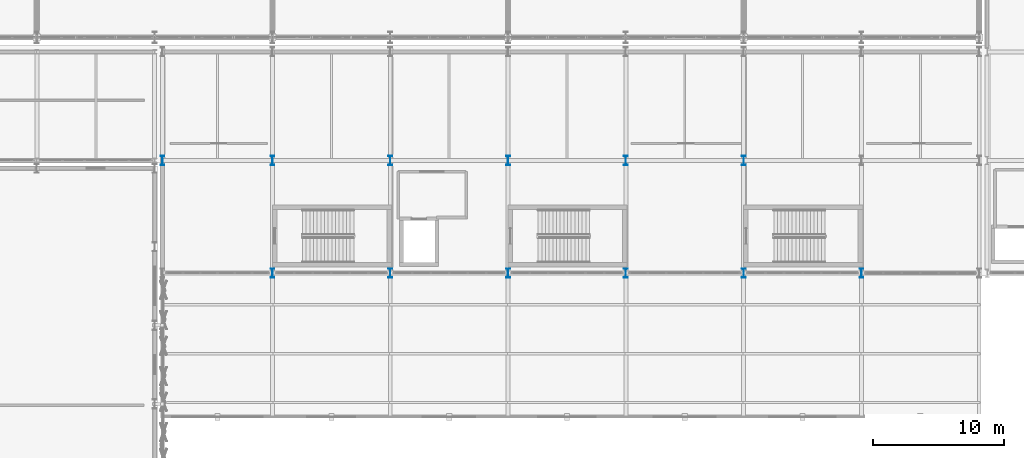
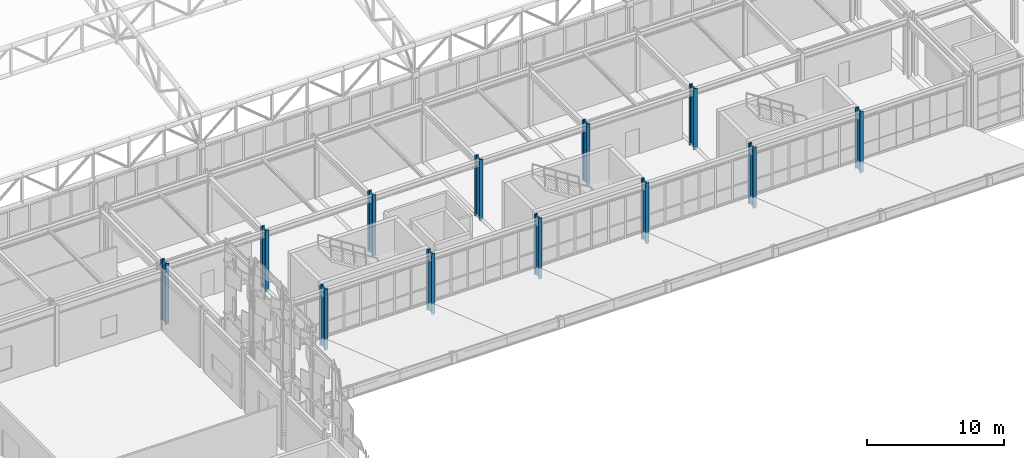
# One storey, part 7 of 239: 12 columns.
"""IFC4 building model written with IfcOpenShell, lengths in metres."""

from ifc_helpers import new_model, si_unit, direction, frame, origin, origin_2d, place, context, subcontext, project, spatial, i_section, extrude, material, material_profile, profile_set, type_object, element, save


model = new_model("IFC4")

# Units and contexts
model_context = context("Model", 3, precision=1e-05, world=origin(), true_north=direction((0.0, 1.0)))
body_context = subcontext(model_context, "Body", "Model", "MODEL_VIEW")
ifc_project = project(units=[si_unit("LENGTHUNIT", "METRE"), si_unit("AREAUNIT", "SQUARE_METRE"), si_unit("VOLUMEUNIT", "CUBIC_METRE"), si_unit("PLANEANGLEUNIT", "RADIAN"), si_unit("MASSUNIT", "GRAM", prefix="KILO")], contexts=[model_context])

# Site, building, storey
site_placement = place(None, origin())
site = spatial("IfcSite", under=ifc_project, at=site_placement, CompositionType="ELEMENT")
building_placement = place(site_placement, origin())
building = spatial("IfcBuilding", under=site, at=building_placement, Name="Kaldris Quays Convention Centre", CompositionType="ELEMENT")
storey_placement = place(building_placement, frame((0.0, 0.0, 11.39990234375)))
storey = spatial("IfcBuildingStorey", under=building, at=storey_placement, Name="L02", CompositionType="ELEMENT", Elevation=11.39990234375)

# Columns
ifc_material = material(Name="Steel S355J2", Category="steel")
ifc_material_profile = material_profile(ifc_material, i_section(OverallWidth=0.300048828125, OverallDepth=0.699951171875, WebThickness=0.01708984375, FlangeThickness=0.031982421875, FilletRadius=0.027099609375, at=origin_2d()), Name="HEB 700")
ifc_profile_set = profile_set([ifc_material_profile], Name="Steel S355J2")
column_type = type_object("IfcColumnType", Name="STRUCTURAL COLUMN CL05", PredefinedType="COLUMN", material=ifc_profile_set)
for number, where, z_axis, x_axis, name in (
    (1, (83.60009765625, 46.60009765625, 0.0), (0.0, 0.0, 1.0), (1.0, 0.0, 0.0), "L02 V4 Column CL05 (83.60, 46.60)"),
    (2, (92.0, 38.0, 0.0), (0.0, 0.0, 1.0), (1.0, 0.0, 0.0), "L02 V4 Column CL05 (92.00, 38.00)"),
    (3, (92.0, 46.60009765625, 0.0), (0.0, 0.0, 1.0), (1.0, 0.0, 0.0), "L02 V4 Column CL05 (92.00, 46.60)"),
    (4, (101.0, 38.0, 0.0), (0.0, 0.0, 1.0), (1.0, 0.0, 0.0), "L02 V4 Column CL05 (101.00, 38.00)"),
    (5, (101.0, 46.60009765625, 0.0), (0.0, 0.0, 1.0), (1.0, 0.0, 0.0), "L02 V4 Column CL05 (101.00, 46.60)"),
    (6, (110.0, 38.0, 0.0), (0.0, 0.0, 1.0), (1.0, 0.0, 0.0), "L02 V4 Column CL05 (110.00, 38.00)"),
    (7, (110.0, 46.60009765625, 0.0), (0.0, 0.0, 1.0), (1.0, 0.0, 0.0), "L02 V4 Column CL05 (110.00, 46.60)"),
    (8, (119.0, 38.0, 0.0), (0.0, 0.0, 1.0), (1.0, 0.0, 0.0), "L02 V4 Column CL05 (119.00, 38.00)"),
    (9, (119.0, 46.60009765625, 0.0), (0.0, 0.0, 1.0), (1.0, 0.0, 0.0), "L02 V4 Column CL05 (119.00, 46.60)"),
    (10, (128.0, 38.0, 0.0), (0.0, 0.0, 1.0), (1.0, 0.0, 0.0), "L02 V4 Column CL05 (128.00, 38.00)"),
    (11, (128.0, 46.60009765625, 0.0), (0.0, 0.0, 1.0), (1.0, 0.0, 0.0), "L02 V4 Column CL05 (128.00, 46.60)"),
    (12, (137.0, 38.0, 0.0), (0.0, 0.0, 1.0), (1.0, 0.0, 0.0), "L02 V4 Column CL05 (137.00, 38.00)"),
):
    element("IfcColumn", number, at=place(storey_placement, frame(where, z_axis=z_axis, x_axis=x_axis)), inside=storey, type_object=column_type, Name=name, PredefinedType="COLUMN", context=body_context, shape_type="SweptSolid", body=[
        extrude(i_section(OverallWidth=0.300048828125, OverallDepth=0.699951171875, WebThickness=0.01708984375, FlangeThickness=0.031982421875, FilletRadius=0.027099609375, at=origin_2d()), origin(), (0.0, 0.0, 1.0), 5.400146484375),
    ])

save(model, "model.ifc")
